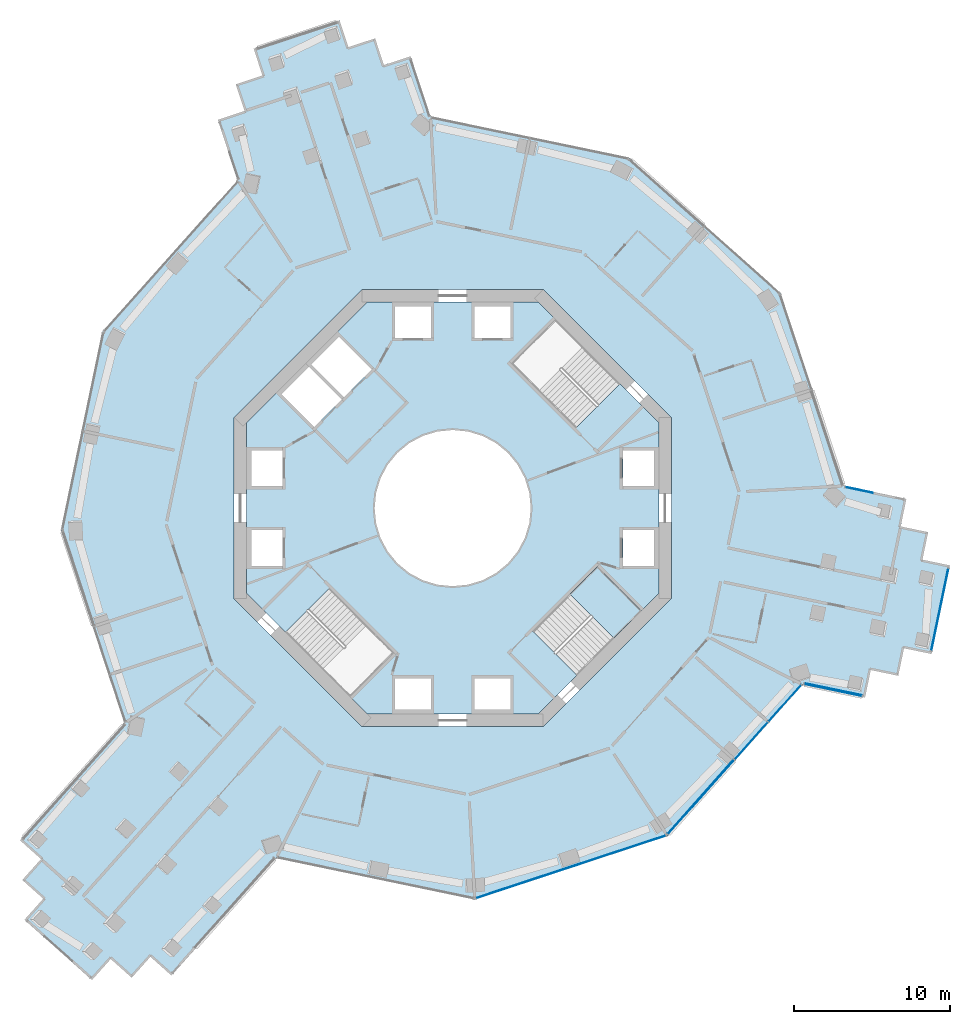
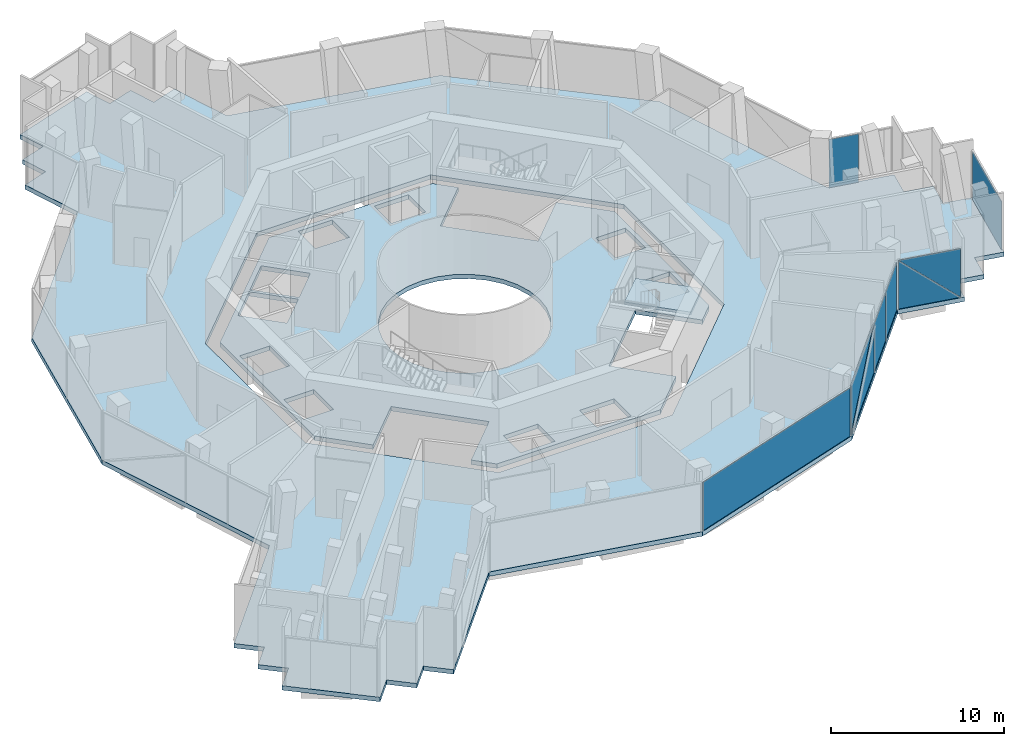
# One storey, part 11 of 21: 9 plates, 3 slabs, 6 elements without a shape of their own.
"""IFC4 building model written with IfcOpenShell, lengths in metres."""

from ifc_helpers import new_model, si_unit, direction, frame, origin, origin_2d, place, context, subcontext, project, spatial, polyline, rectangle, outline, extrude, material, layer, layer_set, type_object, element, aggregate, save


model = new_model("IFC4")

# Units and contexts
model_context = context("Model", 3, precision=1e-05, world=origin(), true_north=direction((0.0, 1.0)))
body_context = subcontext(model_context, "Body", "Model", "MODEL_VIEW")
ifc_project = project(units=[si_unit("LENGTHUNIT", "METRE"), si_unit("AREAUNIT", "SQUARE_METRE"), si_unit("VOLUMEUNIT", "CUBIC_METRE"), si_unit("PLANEANGLEUNIT", "RADIAN"), si_unit("MASSUNIT", "GRAM", prefix="KILO")], contexts=[model_context])

# Site, building, storey
site_placement = place(None, origin())
site = spatial("IfcSite", under=ifc_project, at=site_placement, CompositionType="ELEMENT")
building_placement = place(site_placement, origin())
building = spatial("IfcBuilding", under=site, at=building_placement, Name="Verdalira Terraces Hotel", CompositionType="ELEMENT")
storey_placement = place(building_placement, frame((0.0, 0.0, 107.0)))
storey = spatial("IfcBuildingStorey", under=building, at=storey_placement, Name="L25", CompositionType="ELEMENT", Elevation=107.0)

# Curtain wall, plate
ifc_material_1 = material(Name="Clear glass", Category="glass")
ifc_layer_1 = layer(ifc_material_1, 0.179931640625)
ifc_layer_set_1 = layer_set([ifc_layer_1], Name="CW4 curtain wall")
curtain_wall_type = type_object("IfcCurtainWallType", Name="CW4 curtain wall", PredefinedType="NOTDEFINED", material=ifc_layer_set_1)
curtain_wall_1_placement = place(storey_placement, origin())
curtain_wall_1 = element("IfcCurtainWall", 1, at=curtain_wall_1_placement, inside=storey, type_object=curtain_wall_type, Name="CW4 curtain wall L25 edge 26", PredefinedType="NOTDEFINED")
ifc_material_2 = material(Name="Clear glass", Category="glass")
ifc_layer_2 = layer(ifc_material_2, 0.035888671875)
ifc_layer_set_2 = layer_set([ifc_layer_2], Name="CW4 glass unit 36")
plate_type = type_object("IfcPlateType", Name="CW4 glass unit 36", PredefinedType="CURTAIN_PANEL", material=ifc_layer_set_2)
plate_1_placement = place(storey_placement, frame((7.573975, -22.982422, 0.0), z_axis=(0.0, 0.0, 1.0), x_axis=(0.949753769, 0.312998048, 0.0)))
plate_1 = element("IfcPlate", 2, at=plate_1_placement, type_object=plate_type, Name="CW4 glass unit", PredefinedType="CURTAIN_PANEL", context=body_context, shape_type="SweptSolid", body=[
    extrude(rectangle(XDim=12.789551, YDim=0.035889, at=origin_2d()), origin(), (0.0, 0.0, 1.0), 3.419922),
])
aggregate(curtain_wall_1, [plate_1])

# Curtain wall, plates
curtain_wall_2_placement = place(storey_placement, origin())
curtain_wall_2 = element("IfcCurtainWall", 3, at=curtain_wall_2_placement, inside=storey, type_object=curtain_wall_type, Name="CW4 curtain wall L25 edge 27", PredefinedType="NOTDEFINED")
plate_2_placement = place(storey_placement, frame((15.896729, -18.501709, 1.709961), z_axis=(0.745941145, -0.666011867, 0.0), x_axis=(0.666011867, 0.745941145, 0.0)))
plate_2 = element("IfcPlate", 4, at=plate_2_placement, type_object=plate_type, Name="CW4 glass unit", PredefinedType="CURTAIN_PANEL", context=body_context, shape_type="SweptSolid", body=[
    extrude(outline(polyline([(-3.181152, -1.709961), (3.181152, -1.709961), (3.181152, 1.709961), (-3.181152, -1.709961)])), origin(), (0.0, 0.0, 1.0), 0.035889),
])
plate_3_placement = place(storey_placement, frame((15.869141, -18.477051, 1.709961), z_axis=(0.745941145, -0.666011867, 0.0), x_axis=(0.666011867, 0.745941145, 0.0)))
plate_3 = element("IfcPlate", 5, at=plate_3_placement, type_object=plate_type, Name="CW4 glass unit", PredefinedType="CURTAIN_PANEL", context=body_context, shape_type="SweptSolid", body=[
    extrude(outline(polyline([(-3.181152, -1.709961), (3.181152, 1.709961), (-3.181152, 1.709961), (-3.181152, -1.709961)])), origin(), (0.0, 0.0, 1.0), 0.035889),
])
plate_4_placement = place(storey_placement, frame((19.132812, -14.904297, 0.0), z_axis=(0.0, 0.0, 1.0), x_axis=(0.666011867, 0.745941145, 0.0)))
plate_4 = element("IfcPlate", 6, at=plate_4_placement, type_object=plate_type, Name="CW4 glass unit", PredefinedType="CURTAIN_PANEL", context=body_context, shape_type="SweptSolid", body=[
    extrude(rectangle(XDim=3.185059, YDim=0.035889, at=origin_2d()), origin(), (0.0, 0.0, 1.0), 3.419922),
])
plate_5_placement = place(storey_placement, frame((21.280762, -12.498535, 0.0), z_axis=(0.0, 0.0, 1.0), x_axis=(0.666011867, 0.745941145, 0.0)))
plate_5 = element("IfcPlate", 7, at=plate_5_placement, type_object=plate_type, Name="CW4 glass unit", PredefinedType="CURTAIN_PANEL", context=body_context, shape_type="SweptSolid", body=[
    extrude(rectangle(XDim=3.135254, YDim=0.035889, at=origin_2d()), origin(), (0.0, 0.0, 1.0), 3.419922),
])
aggregate(curtain_wall_2, [plate_2, plate_3, plate_4, plate_5])

curtain_wall_3_placement = place(storey_placement, origin())
curtain_wall_3 = element("IfcCurtainWall", 8, at=curtain_wall_3_placement, inside=storey, type_object=curtain_wall_type, Name="CW4 curtain wall L25 edge 28", PredefinedType="NOTDEFINED")
plate_6_placement = place(storey_placement, frame((24.370117, -11.633057, 1.709961), z_axis=(-0.203812624, -0.979009915, 0.0), x_axis=(0.979009915, -0.203812624, 0.0)))
plate_6 = element("IfcPlate", 9, at=plate_6_placement, type_object=plate_type, Name="CW4 glass unit", PredefinedType="CURTAIN_PANEL", context=body_context, shape_type="SweptSolid", body=[
    extrude(outline(polyline([(-1.888916, -1.709961), (1.888916, -1.709961), (-1.888916, 1.709961), (-1.888916, -1.709961)])), origin(), (0.0, 0.0, 1.0), 0.035889),
])
plate_7_placement = place(storey_placement, frame((24.377686, -11.59668, 1.709961), z_axis=(-0.203812624, -0.979009915, 0.0), x_axis=(0.979009915, -0.203812624, 0.0)))
plate_7 = element("IfcPlate", 10, at=plate_7_placement, type_object=plate_type, Name="CW4 glass unit", PredefinedType="CURTAIN_PANEL", context=body_context, shape_type="SweptSolid", body=[
    extrude(outline(polyline([(1.888916, -1.709961), (1.888916, 1.709961), (-1.888916, 1.709961), (1.888916, -1.709961)])), origin(), (0.0, 0.0, 1.0), 0.035889),
])
aggregate(curtain_wall_3, [plate_6, plate_7])

# Curtain wall, plate
curtain_wall_4_placement = place(storey_placement, origin())
curtain_wall_4 = element("IfcCurtainWall", 11, at=curtain_wall_4_placement, inside=storey, type_object=curtain_wall_type, Name="CW4 curtain wall L25 edge 33", PredefinedType="NOTDEFINED")
plate_8_placement = place(storey_placement, frame((31.204346, -6.496338, 0.0), z_axis=(0.0, 0.0, 1.0), x_axis=(0.203812624, 0.979009915, 0.0)))
plate_8 = element("IfcPlate", 12, at=plate_8_placement, type_object=plate_type, Name="CW4 glass unit", PredefinedType="CURTAIN_PANEL", context=body_context, shape_type="SweptSolid", body=[
    extrude(rectangle(XDim=5.370117, YDim=0.035889, at=origin_2d()), origin(), (0.0, 0.0, 1.0), 3.419922),
])
aggregate(curtain_wall_4, [plate_8])

curtain_wall_5_placement = place(storey_placement, origin())
curtain_wall_5 = element("IfcCurtainWall", 13, at=curtain_wall_5_placement, inside=storey, type_object=curtain_wall_type, Name="CW4 curtain wall L25 edge 38", PredefinedType="NOTDEFINED")
plate_9_placement = place(storey_placement, frame((26.024414, 1.160156, 0.0), z_axis=(0.0, 0.0, 1.0), x_axis=(-0.979009915, 0.203812624, 0.0)))
plate_9 = element("IfcPlate", 14, at=plate_9_placement, type_object=plate_type, Name="CW4 glass unit", PredefinedType="CURTAIN_PANEL", context=body_context, shape_type="SweptSolid", body=[
    extrude(rectangle(XDim=1.802002, YDim=0.035889, at=origin_2d()), origin(), (0.0, 0.0, 1.0), 3.419922),
])
aggregate(curtain_wall_5, [plate_9])

# Slab
ifc_material_3 = material(Name="Concrete C40", Category="concrete")
ifc_layer_3 = layer(ifc_material_3, 0.31005859375)
ifc_layer_set_3 = layer_set([ifc_layer_3], Name="Core floor slab 310 mm")
slab_type_1 = type_object("IfcSlabType", Name="Core floor slab 310 mm", PredefinedType="FLOOR", material=ifc_layer_set_3)
slab_1_placement = place(storey_placement, frame((0.0, 0.0, -0.310059)))
element("IfcSlab", 15, at=slab_1_placement, inside=storey, type_object=slab_type_1, Name="L25 core floor", PredefinedType="FLOOR", context=body_context, shape_type="SweptSolid", body=[
    extrude(outline(polyline([(-5.467529, 13.199951), (5.467529, 13.199951), (6.562012, 12.105713), (3.719482, 9.263184), (7.869629, 5.112793), (10.712402, 7.955322), (13.199951, 5.467529), (13.199951, -5.467529), (12.105713, -6.562012), (9.263184, -3.719482), (5.112793, -7.869629), (7.955322, -10.712402), (5.467529, -13.199951), (-5.467529, -13.199951), (-6.562012, -12.105713), (-3.719482, -9.263184), (-7.869629, -5.112793), (-10.712402, -7.955322), (-13.199951, -5.467529), (-13.199951, 5.467529), (-5.467529, 13.199951)]), holes=[polyline([(12.899902, -3.699951), (12.899902, -1.399902), (10.899902, -1.399902), (10.899902, -3.699951), (12.899902, -3.699951)]), polyline([(12.899902, 1.399902), (12.899902, 3.699951), (10.899902, 3.699951), (10.899902, 1.399902), (12.899902, 1.399902)]), polyline([(1.399902, 10.899902), (3.699951, 10.899902), (3.699951, 12.899902), (1.399902, 12.899902), (1.399902, 10.899902)]), polyline([(-3.699951, 10.899902), (-1.399902, 10.899902), (-1.399902, 12.899902), (-3.699951, 12.899902), (-3.699951, 10.899902)]), polyline([(-12.899902, 3.699951), (-12.899902, 1.399902), (-10.899902, 1.399902), (-10.899902, 3.699951), (-12.899902, 3.699951)]), polyline([(-12.899902, -1.399902), (-12.899902, -3.699951), (-10.899902, -3.699951), (-10.899902, -1.399902), (-12.899902, -1.399902)]), polyline([(-1.399902, -10.899902), (-3.699951, -10.899902), (-3.699951, -12.899902), (-1.399902, -12.899902), (-1.399902, -10.899902)]), polyline([(3.699951, -10.899902), (1.399902, -10.899902), (1.399902, -12.899902), (3.699951, -12.899902), (3.699951, -10.899902)]), polyline([(-9.051025, 9.192383), (-6.965088, 7.106445), (-5.197266, 8.874268), (-7.283203, 10.960205), (-9.051025, 9.192383)]), polyline([(-9.192383, 9.051025), (-10.960205, 7.283203), (-8.874268, 5.197266), (-7.106445, 6.965088), (-9.192383, 9.051025)]), polyline([(3.5354, 3.5354), (2.777832, 4.157227), (1.91333, 4.619385), (0.975586, 4.903809), (0.0, 5.0), (-0.975586, 4.903809), (-1.91333, 4.619385), (-2.777832, 4.157227), (-3.5354, 3.5354), (-4.157227, 2.777832), (-4.619385, 1.91333), (-4.903809, 0.975586), (-5.0, 0.0), (-4.903809, -0.975586), (-4.619385, -1.91333), (-4.157227, -2.777832), (-3.5354, -3.5354), (-2.777832, -4.157227), (-1.91333, -4.619385), (-0.975586, -4.903809), (0.0, -5.0), (0.975586, -4.903809), (1.91333, -4.619385), (2.777832, -4.157227), (3.5354, -3.5354), (4.157227, -2.777832), (4.619385, -1.91333), (4.903809, -0.975586), (5.0, 0.0), (4.903809, 0.975586), (4.619385, 1.91333), (4.157227, 2.777832), (3.5354, 3.5354)])]), origin(), (0.0, 0.0, 1.0), 0.310059),
])

# Stair, slab
ifc_material_4 = material(Name="Concrete C40", Category="concrete")
stair_type = type_object("IfcStairType", Name="Core stair 26 risers 1950 mm wide", PredefinedType="HALF_TURN_STAIR", material=ifc_material_4)
stair_placement = place(storey_placement, origin())
stair = element("IfcStair", 16, at=stair_placement, inside=storey, type_object=stair_type, Name="L25 Exit stair ST3", PredefinedType="HALF_TURN_STAIR")
ifc_material_5 = material(Name="Concrete C40", Category="concrete")
ifc_layer_4 = layer(ifc_material_5, 0.199951171875)
ifc_layer_set_4 = layer_set([ifc_layer_4], Name="Core stair landing 200 mm")
slab_type_2 = type_object("IfcSlabType", Name="Core stair landing 200 mm", PredefinedType="LANDING", material=ifc_layer_set_4)
slab_2_placement = place(storey_placement, frame((0.0, 0.0, 2.050049)))
slab_2 = element("IfcSlab", 17, at=slab_2_placement, type_object=slab_type_2, Name="ST3 landing 1", PredefinedType="LANDING", context=body_context, shape_type="SweptSolid", body=[
    extrude(outline(polyline([(10.330566, -8.337158), (12.091553, -6.576172), (9.263184, -3.747559), (7.501953, -5.508789), (10.330566, -8.337158)])), origin(), (0.0, 0.0, 1.0), 0.199951),
])
aggregate(stair, [slab_2])

# Slab
ifc_material_6 = material(Name="Concrete C40", Category="concrete")
ifc_layer_5 = layer(ifc_material_6, 0.31005859375)
ifc_layer_set_5 = layer_set([ifc_layer_5], Name="Floor slab 310 C40")
slab_type_3 = type_object("IfcSlabType", Name="Floor slab 310 C40", PredefinedType="FLOOR", material=ifc_layer_set_5)
slab_3_placement = place(storey_placement, frame((0.0, 0.0, -0.310059)))
element("IfcSlab", 18, at=slab_3_placement, inside=storey, type_object=slab_type_3, Name="Floor slab L25", PredefinedType="FLOOR", context=body_context, shape_type="SweptSolid", body=[
    extrude(outline(polyline([(11.307617, 22.424316), (-1.419434, 25.073975), (-2.694824, 28.944336), (-4.404541, 28.380859), (-4.968018, 30.090576), (-6.67749, 29.5271), (-7.240723, 31.236572), (-12.749512, 29.421387), (-12.186035, 27.71167), (-13.895508, 27.148193), (-13.332275, 25.438721), (-15.041748, 24.875244), (-13.766113, 21.004883), (-22.424316, 11.307617), (-25.073975, -1.419434), (-21.004883, -13.766113), (-27.715088, -21.281738), (-26.372314, -22.480469), (-27.571289, -23.823242), (-26.228516, -25.021973), (-27.42749, -26.364746), (-23.10083, -30.227539), (-21.9021, -28.88501), (-20.559326, -30.08374), (-19.360596, -28.740967), (-18.017822, -29.939697), (-11.307617, -22.424316), (1.419434, -25.073975), (13.766113, -21.004883), (22.424316, -11.307617), (26.414062, -12.138184), (26.780762, -10.376221), (28.543213, -10.74292), (28.909912, -8.980713), (30.672119, -9.347656), (31.854248, -3.669189), (30.092041, -3.30249), (30.458984, -1.540283), (28.696777, -1.17334), (29.063477, 0.588867), (25.073975, 1.419434), (21.004883, 13.766113), (11.307617, 22.424316)]), holes=[polyline([(5.799072, 14.0), (14.0, 5.799072), (14.0, -5.799072), (5.799072, -14.0), (-5.799072, -14.0), (-14.0, -5.799072), (-14.0, 5.799072), (-5.799072, 14.0), (5.799072, 14.0)])]), origin(), (0.0, 0.0, 1.0), 0.310059),
])

save(model, "model.ifc")
